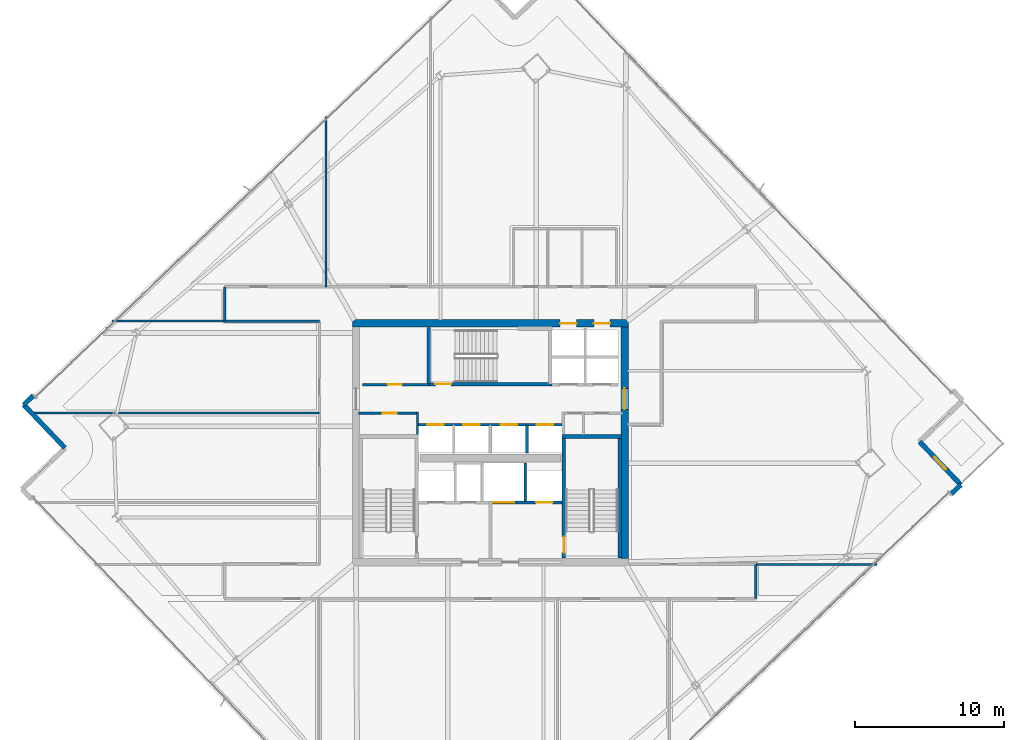
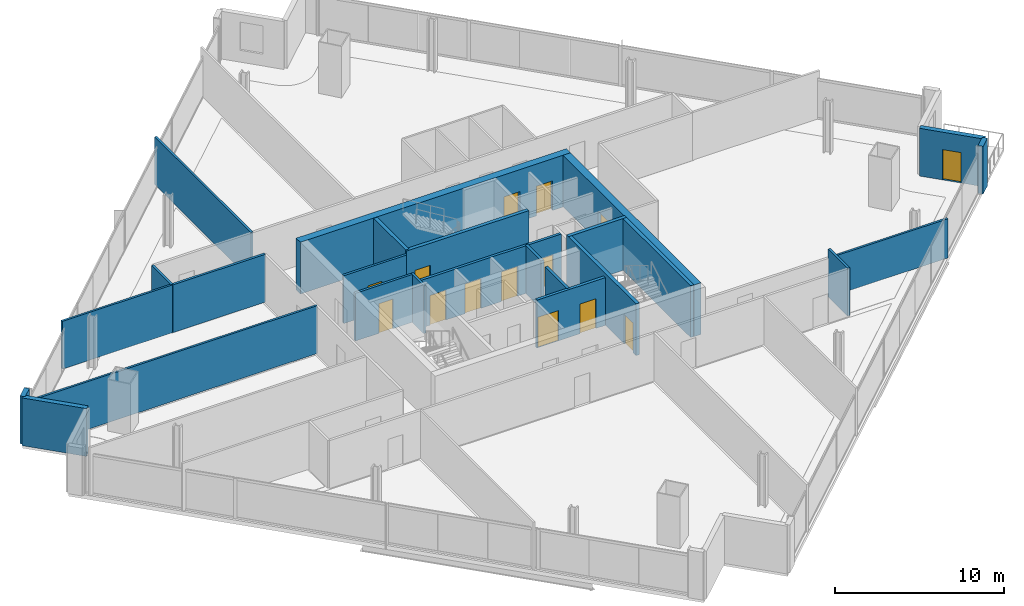
# One storey, part 26 of 33: 25 walls, 14 doors, 14 openings.
"""IFC4 building model written with IfcOpenShell, lengths in metres."""

from ifc_helpers import new_model, si_unit, direction, frame, frame_2d, origin, place, context, subcontext, project, spatial, rectangle, extrude, material, layer, layer_set, type_object, element, fill, save


model = new_model("IFC4")

# Units and contexts
model_context = context("Model", 3, precision=1e-05, world=origin(), true_north=direction((0.0, 1.0)))
body_context = subcontext(model_context, "Body", "Model", "MODEL_VIEW")
ifc_project = project(units=[si_unit("LENGTHUNIT", "METRE"), si_unit("AREAUNIT", "SQUARE_METRE"), si_unit("VOLUMEUNIT", "CUBIC_METRE"), si_unit("PLANEANGLEUNIT", "RADIAN"), si_unit("MASSUNIT", "GRAM", prefix="KILO")], contexts=[model_context])

# Site, building, storey
site_placement = place(None, origin())
site = spatial("IfcSite", under=ifc_project, at=site_placement, CompositionType="ELEMENT")
building_placement = place(site_placement, origin())
building = spatial("IfcBuilding", under=site, at=building_placement, Name="Haldenkirk Collegiate Tower", CompositionType="ELEMENT")
storey_placement = place(building_placement, frame((0.0, 0.0, 174.449951171875)))
storey = spatial("IfcBuildingStorey", under=building, at=storey_placement, Name="L43", CompositionType="ELEMENT", Elevation=174.449951171875)

# Wall, openings, doors
ifc_material_1 = material(Name="Concrete f'c 55 MPa", Category="concrete")
ifc_layer_1 = layer(ifc_material_1, 0.5)
ifc_layer_set_1 = layer_set([ifc_layer_1], Name="Concrete f'c 55 MPa")
wall_type_1 = type_object("IfcWallType", Name="WL-CORE-500", PredefinedType="SHEAR", material=ifc_layer_set_1)
wall_1_placement = place(storey_placement, frame((26.75, 34.0, 0.0), z_axis=(0.0, 0.0, 1.0), x_axis=(1.0, 0.0, 0.0)))
wall_1 = element("IfcWall", 1, at=wall_1_placement, inside=storey, type_object=wall_type_1, Name="L43 central core shear wall N", PredefinedType="SHEAR", context=body_context, shape_type="SweptSolid", body=[
    extrude(rectangle(XDim=18.5, YDim=0.5, at=frame_2d((9.25, 0.0))), origin(), (0.0, 0.0, 1.0), 3.75),
])
opening_1_placement = place(wall_1_placement, frame((13.93505859375, 0.0, 0.0)))
opening_1 = element("IfcOpeningElement", 2, at=opening_1_placement, cuts=wall_1, Name="Opening LD-11", PredefinedType="OPENING", context=body_context, shape_type="SweptSolid", body=[
    extrude(rectangle(XDim=1.10009765625, YDim=2.14990234375, at=frame_2d((0.550048828125, 1.074951171875))), frame((0.0, 0.260009765625, 0.0), z_axis=(0.0, -1.0, 0.0), x_axis=(1.0, 0.0, 0.0)), (0.0, 0.0, 1.0), 0.52001953125),
])
opening_2_placement = place(wall_1_placement, frame((16.18505859375, 0.0, 0.0)))
opening_2 = element("IfcOpeningElement", 3, at=opening_2_placement, cuts=wall_1, Name="Opening LD-11", PredefinedType="OPENING", context=body_context, shape_type="SweptSolid", body=[
    extrude(rectangle(XDim=1.10009765625, YDim=2.14990234375, at=frame_2d((0.550048828125, 1.074951171875))), frame((0.0, 0.260009765625, 0.0), z_axis=(0.0, -1.0, 0.0), x_axis=(1.0, 0.0, 0.0)), (0.0, 0.0, 1.0), 0.52001953125),
])
ifc_material_2 = material(Name="Brushed architectural stainless steel", Category="steel")
ifc_layer_2 = layer(ifc_material_2, 0.06005859375)
ifc_layer_set_2 = layer_set([ifc_layer_2], Name="Brushed architectural stainless steel")
door_type_1 = type_object("IfcDoorType", Name="LD-PASS-1100", OperationType="NOTDEFINED", PredefinedType="DOOR", material=ifc_layer_set_2)
door_1_placement = place(opening_1_placement, origin())
door_1 = element("IfcDoor", 4, at=door_1_placement, inside=storey, type_object=door_type_1, Name="L43 Elevator PM3 sliding landing door", OperationType="SLIDING_TO_LEFT", OverallHeight=2.14990234375, OverallWidth=1.10009765625, PredefinedType="DOOR", context=body_context, shape_type="SweptSolid", body=[
    extrude(rectangle(XDim=1.10009765625, YDim=2.14990234375, at=frame_2d((0.550048828125, 1.074951171875))), frame((0.0, 0.02490234375, 0.0), z_axis=(0.0, -1.0, 0.0), x_axis=(1.0, 0.0, 0.0)), (0.0, 0.0, 1.0), 0.050048828125),
])
fill(opening_1, door_1)
door_2_placement = place(opening_2_placement, origin())
door_2 = element("IfcDoor", 5, at=door_2_placement, inside=storey, type_object=door_type_1, Name="L43 Elevator PM4 sliding landing door", OperationType="SLIDING_TO_LEFT", OverallHeight=2.14990234375, OverallWidth=1.10009765625, PredefinedType="DOOR", context=body_context, shape_type="SweptSolid", body=[
    extrude(rectangle(XDim=1.10009765625, YDim=2.14990234375, at=frame_2d((0.550048828125, 1.074951171875))), frame((0.0, 0.02490234375, 0.0), z_axis=(0.0, -1.0, 0.0), x_axis=(1.0, 0.0, 0.0)), (0.0, 0.0, 1.0), 0.050048828125),
])
fill(opening_2, door_2)

# Wall, opening, door
wall_2_placement = place(storey_placement, frame((45.0, 18.25, 0.0), z_axis=(0.0, 0.0, 1.0), x_axis=(0.0, 1.0, 0.0)))
wall_2 = element("IfcWall", 6, at=wall_2_placement, inside=storey, type_object=wall_type_1, Name="L43 central core shear wall E", PredefinedType="SHEAR", context=body_context, shape_type="SweptSolid", body=[
    extrude(rectangle(XDim=15.5, YDim=0.5, at=frame_2d((7.75, 0.0))), origin(), (0.0, 0.0, 1.0), 3.75),
])
opening_3_placement = place(wall_2_placement, frame((9.989990234375, 0.0, 0.0)))
opening_3 = element("IfcOpeningElement", 7, at=opening_3_placement, cuts=wall_2, Name="Opening D-03", PredefinedType="OPENING", context=body_context, shape_type="SweptSolid", body=[
    extrude(rectangle(XDim=1.39990234375, YDim=2.199951171875, at=frame_2d((0.699951171875, 1.10009765625))), frame((0.0, 0.260009765625, 0.0), z_axis=(0.0, -1.0, 0.0), x_axis=(1.0, 0.0, 0.0)), (0.0, 0.0, 1.0), 0.52001953125),
])
ifc_material_3 = material(Name="Galvanized fire-rated hollow steel door", Category="steel")
ifc_layer_3 = layer(ifc_material_3, 0.06005859375)
ifc_layer_set_3 = layer_set([ifc_layer_3], Name="Galvanized fire-rated hollow steel door")
door_type_2 = type_object("IfcDoorType", Name="DR-LOBBY-FD90-1400", OperationType="NOTDEFINED", PredefinedType="DOOR", material=ifc_layer_set_3)
door_3_placement = place(opening_3_placement, origin())
door_3 = element("IfcDoor", 8, at=door_3_placement, inside=storey, type_object=door_type_2, Name="L43 east lift lobby portal", OperationType="DOUBLE_DOOR_SINGLE_SWING", OverallHeight=2.199951171875, OverallWidth=1.39990234375, PredefinedType="DOOR", context=body_context, shape_type="SweptSolid", body=[
    extrude(rectangle(XDim=1.39990234375, YDim=2.199951171875, at=frame_2d((0.699951171875, 1.10009765625))), frame((0.0, 0.02490234375, 0.0), z_axis=(0.0, -1.0, 0.0), x_axis=(1.0, 0.0, 0.0)), (0.0, 0.0, 1.0), 0.050048828125),
])
fill(opening_3, door_3)

# Wall
ifc_material_4 = material(Name="Precast concrete f'c 40 MPa", Category="concrete")
ifc_layer_4 = layer(ifc_material_4, 0.320068359375)
ifc_layer_set_4 = layer_set([ifc_layer_4], Name="Precast concrete f'c 40 MPa")
wall_type_2 = type_object("IfcWallType", Name="WL-EXT-TWR-320", PredefinedType="STANDARD", material=ifc_layer_set_4)
wall_3_placement = place(storey_placement, frame((67.5341796875, 23.18017578125, 0.0), z_axis=(0.0, 0.0, 1.0), x_axis=(-0.723059926528, -0.690785308652, 0.0)))
element("IfcWall", 9, at=wall_3_placement, inside=storey, type_object=wall_type_2, Name="L43 precast corner pier SL", PredefinedType="STANDARD", context=body_context, shape_type="SweptSolid", body=[
    extrude(rectangle(XDim=0.900146484375, YDim=0.320068359375, at=frame_2d((0.4501953125, 0.0))), origin(), (0.0, 0.0, 1.0), 3.4599609375),
])

# Wall, opening, door
wall_4_placement = place(storey_placement, frame((64.7705078125, 26.072021484375, 0.0), z_axis=(0.0, 0.0, 1.0), x_axis=(0.690903852793, -0.722946655153, 0.0)))
wall_4 = element("IfcWall", 10, at=wall_4_placement, inside=storey, type_object=wall_type_2, Name="L43 bronze precast notch wall 02", PredefinedType="STANDARD", context=body_context, shape_type="SweptSolid", body=[
    extrude(rectangle(XDim=4.0, YDim=0.320068359375, at=frame_2d((2.0, 0.0))), origin(), (0.0, 0.0, 1.0), 3.4599609375),
])
opening_4_placement = place(wall_4_placement, frame((1.425048828125, 0.0, 0.0)))
opening_4 = element("IfcOpeningElement", 11, at=opening_4_placement, cuts=wall_4, Name="Opening D-ST11", PredefinedType="OPENING", context=body_context, shape_type="SweptSolid", body=[
    extrude(rectangle(XDim=1.14990234375, YDim=2.199951171875, at=frame_2d((0.574951171875, 1.10009765625))), frame((0.0, 0.169921875, 0.0), z_axis=(0.0, -1.0, 0.0), x_axis=(1.0, 0.0, 0.0)), (0.0, 0.0, 1.0), 0.340087890625),
])
ifc_material_5 = material(Name="Anodised architectural bronze aluminium", Category="aluminium")
ifc_layer_5 = layer(ifc_material_5, 0.080078125)
ifc_layer_set_5 = layer_set([ifc_layer_5], Name="Anodised architectural bronze aluminium")
door_type_3 = type_object("IfcDoorType", Name="DR-EXT-STER-1150", OperationType="NOTDEFINED", PredefinedType="DOOR", material=ifc_layer_set_5)
door_4_placement = place(opening_4_placement, origin())
door_4 = element("IfcDoor", 12, at=door_4_placement, inside=storey, type_object=door_type_3, Name="L43 spiralling terrace door", OperationType="SINGLE_SWING_RIGHT", OverallHeight=2.199951171875, OverallWidth=1.14990234375, PredefinedType="DOOR", context=body_context, shape_type="SweptSolid", body=[
    extrude(rectangle(XDim=1.14990234375, YDim=2.199951171875, at=frame_2d((0.574951171875, 1.10009765625))), frame((0.0, 0.02490234375, 0.0), z_axis=(0.0, -1.0, 0.0), x_axis=(1.0, 0.0, 0.0)), (0.0, 0.0, 1.0), 0.050048828125),
])
fill(opening_4, door_4)

# Walls
wall_5_placement = place(storey_placement, frame((4.724853515625, 28.548583984375, 0.0), z_axis=(0.0, 0.0, 1.0), x_axis=(0.722930468767, 0.690920789475, 0.0)))
element("IfcWall", 13, at=wall_5_placement, inside=storey, type_object=wall_type_2, Name="L43 precast corner pier NL", PredefinedType="STANDARD", context=body_context, shape_type="SweptSolid", body=[
    extrude(rectangle(XDim=0.89990234375, YDim=0.320068359375, at=frame_2d((0.449951171875, 0.0))), origin(), (0.0, 0.0, 1.0), 3.4599609375),
])
wall_6_placement = place(storey_placement, frame((7.488525390625, 25.65673828125, 0.0), z_axis=(0.0, 0.0, 1.0), x_axis=(-0.690903852793, 0.722946655153, 0.0)))
element("IfcWall", 14, at=wall_6_placement, inside=storey, type_object=wall_type_2, Name="L43 bronze precast notch wall 08", PredefinedType="STANDARD", context=body_context, shape_type="SweptSolid", body=[
    extrude(rectangle(XDim=4.0, YDim=0.320068359375, at=frame_2d((2.0, 0.0))), origin(), (0.0, 0.0, 1.0), 3.4599609375),
])

# Wall, opening, door
ifc_material_6 = material(Name="Acoustic fire-rated gypsum partition", Category="concrete")
ifc_layer_6 = layer(ifc_material_6, 0.159912109375)
ifc_layer_set_6 = layer_set([ifc_layer_6], Name="Acoustic fire-rated gypsum partition")
wall_type_3 = type_object("IfcWallType", Name="WL-INT-CORR-160", PredefinedType="PARTITIONING", material=ifc_layer_set_6)
wall_7_placement = place(storey_placement, frame((27.14990234375, 27.97998046875, 0.0), z_axis=(0.0, 0.0, 1.0), x_axis=(1.0, 0.0, 0.0)))
wall_7 = element("IfcWall", 15, at=wall_7_placement, inside=storey, type_object=wall_type_3, Name="L43 interior partition IW-L43-VCSW-N", PredefinedType="PARTITIONING", context=body_context, shape_type="SweptSolid", body=[
    extrude(rectangle(XDim=4.050048828125, YDim=0.159912109375, at=frame_2d((2.02490234375, 0.0))), origin(), (0.0, 0.0, 1.0), 3.4599609375),
])
opening_5_placement = place(wall_7_placement, frame((1.625, 0.0, 0.0)))
opening_5 = element("IfcOpeningElement", 16, at=opening_5_placement, cuts=wall_7, Name="Opening D-10", PredefinedType="OPENING", context=body_context, shape_type="SweptSolid", body=[
    extrude(rectangle(XDim=0.949951171875, YDim=2.14990234375, at=frame_2d((0.47509765625, 1.074951171875))), frame((0.0, 0.08984375, 0.0), z_axis=(0.0, -1.0, 0.0), x_axis=(1.0, 0.0, 0.0)), (0.0, 0.0, 1.0), 0.179931640625),
])
ifc_material_7 = material(Name="Solid-core architectural oak fire door", Category="wood")
ifc_layer_7 = layer(ifc_material_7, 0.06005859375)
ifc_layer_set_7 = layer_set([ifc_layer_7], Name="Solid-core architectural oak fire door")
door_type_4 = type_object("IfcDoorType", Name="DR-INT-FD60-950", OperationType="NOTDEFINED", PredefinedType="DOOR", material=ifc_layer_set_7)
door_5_placement = place(opening_5_placement, origin())
door_5 = element("IfcDoor", 17, at=door_5_placement, inside=storey, type_object=door_type_4, Name="L43 core tea pantry door", OperationType="SINGLE_SWING_LEFT", OverallHeight=2.14990234375, OverallWidth=0.949951171875, PredefinedType="DOOR", context=body_context, shape_type="SweptSolid", body=[
    extrude(rectangle(XDim=0.949951171875, YDim=2.14990234375, at=frame_2d((0.47509765625, 1.074951171875))), frame((0.0, 0.02490234375, 0.0), z_axis=(0.0, -1.0, 0.0), x_axis=(1.0, 0.0, 0.0)), (0.0, 0.0, 1.0), 0.050048828125),
])
fill(opening_5, door_5)

# Wall
wall_8_placement = place(storey_placement, frame((31.1201171875, 26.5400390625, 0.0), z_axis=(0.0, 0.0, 1.0), x_axis=(0.0, 1.0, 0.0)))
element("IfcWall", 18, at=wall_8_placement, inside=storey, type_object=wall_type_3, Name="L43 interior partition IW-L43-VCSW-E", PredefinedType="PARTITIONING", context=body_context, shape_type="SweptSolid", body=[
    extrude(rectangle(XDim=1.510009765625, YDim=0.159912109375, at=frame_2d((0.7548828125, 0.0))), origin(), (0.0, 0.0, 1.0), 3.4599609375),
])

# Wall, opening, door
wall_9_placement = place(storey_placement, frame((27.449951171875, 29.89990234375, 0.0), z_axis=(0.0, 0.0, 1.0), x_axis=(1.0, 0.0, 0.0)))
wall_9 = element("IfcWall", 19, at=wall_9_placement, inside=storey, type_object=wall_type_3, Name="L43 interior partition IW-L43-PLS", PredefinedType="PARTITIONING", context=body_context, shape_type="SweptSolid", body=[
    extrude(rectangle(XDim=4.429931640625, YDim=0.159912109375, at=frame_2d((2.21484375, 0.0))), origin(), (0.0, 0.0, 1.0), 3.4599609375),
])
opening_6_placement = place(wall_9_placement, frame((1.675048828125, 0.0, 0.0)))
opening_6 = element("IfcOpeningElement", 20, at=opening_6_placement, cuts=wall_9, Name="Opening D-10", PredefinedType="OPENING", context=body_context, shape_type="SweptSolid", body=[
    extrude(rectangle(XDim=0.949951171875, YDim=2.14990234375, at=frame_2d((0.47509765625, 1.074951171875))), frame((0.0, 0.08984375, 0.0), z_axis=(0.0, -1.0, 0.0), x_axis=(1.0, 0.0, 0.0)), (0.0, 0.0, 1.0), 0.179931640625),
])
door_6_placement = place(opening_6_placement, origin())
door_6 = element("IfcDoor", 21, at=door_6_placement, inside=storey, type_object=door_type_4, Name="L43 archive door", OperationType="SINGLE_SWING_RIGHT", OverallHeight=2.14990234375, OverallWidth=0.949951171875, PredefinedType="DOOR", context=body_context, shape_type="SweptSolid", body=[
    extrude(rectangle(XDim=0.949951171875, YDim=2.14990234375, at=frame_2d((0.47509765625, 1.074951171875))), frame((0.0, 0.02490234375, 0.0), z_axis=(0.0, -1.0, 0.0), x_axis=(1.0, 0.0, 0.0)), (0.0, 0.0, 1.0), 0.050048828125),
])
fill(opening_6, door_6)

# Walls
wall_10_placement = place(storey_placement, frame((18.199951171875, 34.14990234375, 0.0), z_axis=(0.0, 0.0, 1.0), x_axis=(1.0, 0.0, 0.0)))
element("IfcWall", 22, at=wall_10_placement, inside=storey, type_object=wall_type_3, Name="L43 interior partition IW-L43-CNW", PredefinedType="PARTITIONING", context=body_context, shape_type="SweptSolid", body=[
    extrude(rectangle(XDim=6.35009765625, YDim=0.159912109375, at=frame_2d((3.175048828125, 0.0))), origin(), (0.0, 0.0, 1.0), 3.4599609375),
])
for number, where, z_axis, x_axis, name in (
    (23, (53.800048828125, 15.550048828125, 0.0), (0.0, 0.0, 1.0), (0.0, 1.0, 0.0), "L43 interior partition IW-L43-CSR"),
    (24, (18.199951171875, 34.14990234375, 0.0), (0.0, 0.0, 1.0), (0.0, 1.0, 0.0), "L43 interior partition IW-L43-CNL"),
):
    element("IfcWall", number, at=place(storey_placement, frame(where, z_axis=z_axis, x_axis=x_axis)), inside=storey, type_object=wall_type_3, Name=name, PredefinedType="PARTITIONING", context=body_context, shape_type="SweptSolid", body=[
        extrude(rectangle(XDim=2.300048828125, YDim=0.159912109375, at=frame_2d((1.14990234375, 0.0))), origin(), (0.0, 0.0, 1.0), 3.4599609375),
    ])
ifc_layer_8 = layer(ifc_material_6, 0.139892578125)
ifc_layer_set_8 = layer_set([ifc_layer_8], Name="Acoustic fire-rated gypsum partition")
wall_type_4 = type_object("IfcWallType", Name="WL-INT-DIV-140", PredefinedType="PARTITIONING", material=ifc_layer_set_8)
wall_11_placement = place(storey_placement, frame((10.644287109375, 34.14990234375, 0.0), z_axis=(0.0, 0.0, 1.0), x_axis=(1.0, 0.0, 0.0)))
element("IfcWall", 25, at=wall_11_placement, inside=storey, type_object=wall_type_4, Name="L43 interior partition IW-L43-BWN", PredefinedType="PARTITIONING", context=body_context, shape_type="SweptSolid", body=[
    extrude(rectangle(XDim=7.5556640625, YDim=0.139892578125, at=frame_2d((3.77783203125, 0.0))), origin(), (0.0, 0.0, 1.0), 3.4599609375),
])
wall_12_placement = place(storey_placement, frame((53.800048828125, 17.85009765625, 0.0), z_axis=(0.0, 0.0, 1.0), x_axis=(1.0, 0.0, 0.0)))
element("IfcWall", 26, at=wall_12_placement, inside=storey, type_object=wall_type_4, Name="L43 interior partition IW-L43-BES", PredefinedType="PARTITIONING", context=body_context, shape_type="SweptSolid", body=[
    extrude(rectangle(XDim=8.098388671875, YDim=0.139892578125, at=frame_2d((4.04931640625, 0.0))), origin(), (0.0, 0.0, 1.0), 2.839111328125),
])
wall_13_placement = place(storey_placement, frame((25.0, 36.449951171875, 0.0), z_axis=(0.0, 0.0, 1.0), x_axis=(0.0, 1.0, 0.0)))
element("IfcWall", 27, at=wall_13_placement, inside=storey, type_object=wall_type_4, Name="L43 interior partition IW-L43-RN1", PredefinedType="PARTITIONING", context=body_context, shape_type="SweptSolid", body=[
    extrude(rectangle(XDim=11.418701171875, YDim=0.139892578125, at=frame_2d((5.70947265625, 0.0))), origin(), (0.0, 0.0, 1.0), 3.4599609375),
])
wall_14_placement = place(storey_placement, frame((5.3046875, 28.0, 0.0), z_axis=(0.0, 0.0, 1.0), x_axis=(1.0, 0.0, 0.0)))
element("IfcWall", 28, at=wall_14_placement, inside=storey, type_object=wall_type_4, Name="L43 interior partition IW-L43-RW2", PredefinedType="PARTITIONING", context=body_context, shape_type="SweptSolid", body=[
    extrude(rectangle(XDim=19.245361328125, YDim=0.139892578125, at=frame_2d((9.62255859375, 0.0))), origin(), (0.0, 0.0, 1.0), 3.4599609375),
])
ifc_material_8 = material(Name="Fire-rated gypsum shaftboard assembly", Category="concrete")
ifc_layer_9 = layer(ifc_material_8, 0.179931640625)
ifc_layer_set_9 = layer_set([ifc_layer_9], Name="Fire-rated gypsum shaftboard assembly")
wall_type_5 = type_object("IfcWallType", Name="WL-INT-SHAFT-180", PredefinedType="PARTITIONING", material=ifc_layer_set_9)
wall_15_placement = place(storey_placement, frame((38.35009765625, 22.050048828125, 0.0), z_axis=(0.0, 0.0, 1.0), x_axis=(0.0, 1.0, 0.0)))
element("IfcWall", 29, at=wall_15_placement, inside=storey, type_object=wall_type_5, Name="L43 interior partition IW-L43-GL1E", PredefinedType="PARTITIONING", context=body_context, shape_type="SweptSolid", body=[
    extrude(rectangle(XDim=2.599853515625, YDim=0.179931640625, at=frame_2d((1.2998046875, 0.0))), origin(), (0.0, 0.0, 1.0), 3.4599609375),
])

# Wall, openings, doors
wall_16_placement = place(storey_placement, frame((31.199951171875, 27.199951171875, 0.0), z_axis=(0.0, 0.0, 1.0), x_axis=(1.0, 0.0, 0.0)))
wall_16 = element("IfcWall", 30, at=wall_16_placement, inside=storey, type_object=wall_type_5, Name="L43 interior partition IW-L43-PHN", PredefinedType="PARTITIONING", context=body_context, shape_type="SweptSolid", body=[
    extrude(rectangle(XDim=9.60009765625, YDim=0.179931640625, at=frame_2d((4.800048828125, 0.0))), origin(), (0.0, 0.0, 1.0), 3.4599609375),
])
opening_7_placement = place(wall_16_placement, frame((0.590087890625, 0.0, 0.0)))
opening_7 = element("IfcOpeningElement", 31, at=opening_7_placement, cuts=wall_16, Name="Opening LD-11", PredefinedType="OPENING", context=body_context, shape_type="SweptSolid", body=[
    extrude(rectangle(XDim=1.10009765625, YDim=2.14990234375, at=frame_2d((0.550048828125, 1.074951171875))), frame((0.0, 0.099853515625, 0.0), z_axis=(0.0, -1.0, 0.0), x_axis=(1.0, 0.0, 0.0)), (0.0, 0.0, 1.0), 0.199951171875),
])
opening_8_placement = place(wall_16_placement, frame((2.989990234375, 0.0, 0.0)))
opening_8 = element("IfcOpeningElement", 32, at=opening_8_placement, cuts=wall_16, Name="Opening LD-11", PredefinedType="OPENING", context=body_context, shape_type="SweptSolid", body=[
    extrude(rectangle(XDim=1.10009765625, YDim=2.14990234375, at=frame_2d((0.550048828125, 1.074951171875))), frame((0.0, 0.099853515625, 0.0), z_axis=(0.0, -1.0, 0.0), x_axis=(1.0, 0.0, 0.0)), (0.0, 0.0, 1.0), 0.199951171875),
])
opening_9_placement = place(wall_16_placement, frame((5.510009765625, 0.0, 0.0)))
opening_9 = element("IfcOpeningElement", 33, at=opening_9_placement, cuts=wall_16, Name="Opening LD-11", PredefinedType="OPENING", context=body_context, shape_type="SweptSolid", body=[
    extrude(rectangle(XDim=1.10009765625, YDim=2.14990234375, at=frame_2d((0.550048828125, 1.074951171875))), frame((0.0, 0.099853515625, 0.0), z_axis=(0.0, -1.0, 0.0), x_axis=(1.0, 0.0, 0.0)), (0.0, 0.0, 1.0), 0.199951171875),
])
opening_10_placement = place(wall_16_placement, frame((7.909912109375, 0.0, 0.0)))
opening_10 = element("IfcOpeningElement", 34, at=opening_10_placement, cuts=wall_16, Name="Opening LD-11", PredefinedType="OPENING", context=body_context, shape_type="SweptSolid", body=[
    extrude(rectangle(XDim=1.10009765625, YDim=2.14990234375, at=frame_2d((0.550048828125, 1.074951171875))), frame((0.0, 0.099853515625, 0.0), z_axis=(0.0, -1.0, 0.0), x_axis=(1.0, 0.0, 0.0)), (0.0, 0.0, 1.0), 0.199951171875),
])
door_7_placement = place(opening_7_placement, origin())
door_7 = element("IfcDoor", 35, at=door_7_placement, inside=storey, type_object=door_type_1, Name="L43 Elevator PH1 sliding landing door", OperationType="SLIDING_TO_LEFT", OverallHeight=2.14990234375, OverallWidth=1.10009765625, PredefinedType="DOOR", context=body_context, shape_type="SweptSolid", body=[
    extrude(rectangle(XDim=1.10009765625, YDim=2.14990234375, at=frame_2d((0.550048828125, 1.074951171875))), frame((0.0, 0.02490234375, 0.0), z_axis=(0.0, -1.0, 0.0), x_axis=(1.0, 0.0, 0.0)), (0.0, 0.0, 1.0), 0.050048828125),
])
fill(opening_7, door_7)
door_8_placement = place(opening_8_placement, origin())
door_8 = element("IfcDoor", 36, at=door_8_placement, inside=storey, type_object=door_type_1, Name="L43 Elevator PH2 sliding landing door", OperationType="SLIDING_TO_LEFT", OverallHeight=2.14990234375, OverallWidth=1.10009765625, PredefinedType="DOOR", context=body_context, shape_type="SweptSolid", body=[
    extrude(rectangle(XDim=1.10009765625, YDim=2.14990234375, at=frame_2d((0.550048828125, 1.074951171875))), frame((0.0, 0.02490234375, 0.0), z_axis=(0.0, -1.0, 0.0), x_axis=(1.0, 0.0, 0.0)), (0.0, 0.0, 1.0), 0.050048828125),
])
fill(opening_8, door_8)
door_9_placement = place(opening_9_placement, origin())
door_9 = element("IfcDoor", 37, at=door_9_placement, inside=storey, type_object=door_type_1, Name="L43 Elevator PH3 sliding landing door", OperationType="SLIDING_TO_LEFT", OverallHeight=2.14990234375, OverallWidth=1.10009765625, PredefinedType="DOOR", context=body_context, shape_type="SweptSolid", body=[
    extrude(rectangle(XDim=1.10009765625, YDim=2.14990234375, at=frame_2d((0.550048828125, 1.074951171875))), frame((0.0, 0.02490234375, 0.0), z_axis=(0.0, -1.0, 0.0), x_axis=(1.0, 0.0, 0.0)), (0.0, 0.0, 1.0), 0.050048828125),
])
fill(opening_9, door_9)
door_10_placement = place(opening_10_placement, origin())
door_10 = element("IfcDoor", 38, at=door_10_placement, inside=storey, type_object=door_type_1, Name="L43 Elevator PH4 sliding landing door", OperationType="SLIDING_TO_LEFT", OverallHeight=2.14990234375, OverallWidth=1.10009765625, PredefinedType="DOOR", context=body_context, shape_type="SweptSolid", body=[
    extrude(rectangle(XDim=1.10009765625, YDim=2.14990234375, at=frame_2d((0.550048828125, 1.074951171875))), frame((0.0, 0.02490234375, 0.0), z_axis=(0.0, -1.0, 0.0), x_axis=(1.0, 0.0, 0.0)), (0.0, 0.0, 1.0), 0.050048828125),
])
fill(opening_10, door_10)

# Wall
wall_17_placement = place(storey_placement, frame((38.4599609375, 25.300048828125, 0.0), z_axis=(0.0, 0.0, 1.0), x_axis=(0.0, 1.0, 0.0)))
element("IfcWall", 39, at=wall_17_placement, inside=storey, type_object=wall_type_5, Name="L43 interior partition IW-L43-PHV3", PredefinedType="PARTITIONING", context=body_context, shape_type="SweptSolid", body=[
    extrude(rectangle(XDim=1.89990234375, YDim=0.179931640625, at=frame_2d((0.949951171875, 0.0))), origin(), (0.0, 0.0, 1.0), 3.4599609375),
])

# Wall, openings, doors
ifc_layer_10 = layer(ifc_material_8, 0.199951171875)
ifc_layer_set_10 = layer_set([ifc_layer_10], Name="Fire-rated gypsum shaftboard assembly")
wall_type_6 = type_object("IfcWallType", Name="WL-INT-SHAFT-200", PredefinedType="PARTITIONING", material=ifc_layer_set_10)
wall_18_placement = place(storey_placement, frame((36.1201171875, 22.0, 0.0), z_axis=(0.0, 0.0, 1.0), x_axis=(1.0, 0.0, 0.0)))
wall_18 = element("IfcWall", 40, at=wall_18_placement, inside=storey, type_object=wall_type_6, Name="L43 interior partition IW-L43-FFL2N", PredefinedType="PARTITIONING", context=body_context, shape_type="SweptSolid", body=[
    extrude(rectangle(XDim=4.68994140625, YDim=0.199951171875, at=frame_2d((2.344970703125, 0.0))), origin(), (0.0, 0.0, 1.0), 3.4599609375),
])
opening_11_placement = place(wall_18_placement, frame((2.955078125, 0.0, 0.0)))
opening_11 = element("IfcOpeningElement", 41, at=opening_11_placement, cuts=wall_18, Name="Opening LD-12", PredefinedType="OPENING", context=body_context, shape_type="SweptSolid", body=[
    extrude(rectangle(XDim=1.10009765625, YDim=2.14990234375, at=frame_2d((0.550048828125, 1.074951171875))), frame((0.0, 0.10986328125, 0.0), z_axis=(0.0, -1.0, 0.0), x_axis=(1.0, 0.0, 0.0)), (0.0, 0.0, 1.0), 0.219970703125),
])
opening_12_placement = place(wall_18_placement, frame((0.080078125, 0.0, 0.0)))
opening_12 = element("IfcOpeningElement", 42, at=opening_12_placement, cuts=wall_18, Name="Opening LD-13", PredefinedType="OPENING", context=body_context, shape_type="SweptSolid", body=[
    extrude(rectangle(XDim=1.39990234375, YDim=2.199951171875, at=frame_2d((0.699951171875, 1.10009765625))), frame((0.0, 0.10986328125, 0.0), z_axis=(0.0, -1.0, 0.0), x_axis=(1.0, 0.0, 0.0)), (0.0, 0.0, 1.0), 0.219970703125),
])
ifc_layer_11 = layer(ifc_material_2, 0.06005859375)
ifc_layer_set_11 = layer_set([ifc_layer_11], Name="Brushed architectural stainless steel")
door_type_5 = type_object("IfcDoorType", Name="LD-FIRE-1100", OperationType="NOTDEFINED", PredefinedType="DOOR", material=ifc_layer_set_11)
door_11_placement = place(opening_11_placement, origin())
door_11 = element("IfcDoor", 43, at=door_11_placement, inside=storey, type_object=door_type_5, Name="L43 Elevator FL2 sliding landing door", OperationType="SLIDING_TO_LEFT", OverallHeight=2.14990234375, OverallWidth=1.10009765625, PredefinedType="DOOR", context=body_context, shape_type="SweptSolid", body=[
    extrude(rectangle(XDim=1.10009765625, YDim=2.14990234375, at=frame_2d((0.550048828125, 1.074951171875))), frame((0.0, 0.02490234375, 0.0), z_axis=(0.0, -1.0, 0.0), x_axis=(1.0, 0.0, 0.0)), (0.0, 0.0, 1.0), 0.050048828125),
])
fill(opening_11, door_11)
ifc_layer_12 = layer(ifc_material_2, 0.06005859375)
ifc_layer_set_12 = layer_set([ifc_layer_12], Name="Brushed architectural stainless steel")
door_type_6 = type_object("IfcDoorType", Name="LD-GOODS-1400", OperationType="NOTDEFINED", PredefinedType="DOOR", material=ifc_layer_set_12)
door_12_placement = place(opening_12_placement, origin())
door_12 = element("IfcDoor", 44, at=door_12_placement, inside=storey, type_object=door_type_6, Name="L43 Elevator GL1 sliding landing door", OperationType="SLIDING_TO_LEFT", OverallHeight=2.199951171875, OverallWidth=1.39990234375, PredefinedType="DOOR", context=body_context, shape_type="SweptSolid", body=[
    extrude(rectangle(XDim=1.39990234375, YDim=2.199951171875, at=frame_2d((0.699951171875, 1.10009765625))), frame((0.0, 0.02490234375, 0.0), z_axis=(0.0, -1.0, 0.0), x_axis=(1.0, 0.0, 0.0)), (0.0, 0.0, 1.0), 0.050048828125),
])
fill(opening_12, door_12)

# Wall, opening, door
ifc_layer_13 = layer(ifc_material_1, 0.239990234375)
ifc_layer_set_13 = layer_set([ifc_layer_13], Name="Concrete f'c 55 MPa")
wall_type_7 = type_object("IfcWallType", Name="WL-SHAFT-240", PredefinedType="SHEAR", material=ifc_layer_set_13)
wall_19_placement = place(storey_placement, frame((40.929931640625, 18.280029296875, 0.0), z_axis=(0.0, 0.0, 1.0), x_axis=(0.0, 1.0, 0.0)))
wall_19 = element("IfcWall", 45, at=wall_19_placement, inside=storey, type_object=wall_type_7, Name="L43 stair shaft shear wall SW-L43-ST2W", PredefinedType="SHEAR", context=body_context, shape_type="SweptSolid", body=[
    extrude(rectangle(XDim=8.260009765625, YDim=0.239990234375, at=frame_2d((4.1298828125, 0.0))), origin(), (0.0, 0.0, 1.0), 3.75),
])
opening_13_placement = place(wall_19_placement, frame((0.364990234375, 0.0, 0.0)))
opening_13 = element("IfcOpeningElement", 46, at=opening_13_placement, cuts=wall_19, Name="Opening D-01", PredefinedType="OPENING", context=body_context, shape_type="SweptSolid", body=[
    extrude(rectangle(XDim=1.050048828125, YDim=2.14990234375, at=frame_2d((0.52490234375, 1.074951171875))), frame((0.0, 0.1298828125, 0.0), z_axis=(0.0, -1.0, 0.0), x_axis=(1.0, 0.0, 0.0)), (0.0, 0.0, 1.0), 0.260009765625),
])
ifc_layer_14 = layer(ifc_material_3, 0.06005859375)
ifc_layer_set_14 = layer_set([ifc_layer_14], Name="Galvanized fire-rated hollow steel door")
door_type_7 = type_object("IfcDoorType", Name="DR-STAIR-FD90-1050", OperationType="NOTDEFINED", PredefinedType="DOOR", material=ifc_layer_set_14)
door_13_placement = place(opening_13_placement, origin())
door_13 = element("IfcDoor", 47, at=door_13_placement, inside=storey, type_object=door_type_7, Name="L43 Stair 2 door", OperationType="SINGLE_SWING_RIGHT", OverallHeight=2.14990234375, OverallWidth=1.050048828125, PredefinedType="DOOR", context=body_context, shape_type="SweptSolid", body=[
    extrude(rectangle(XDim=1.050048828125, YDim=2.14990234375, at=frame_2d((0.52490234375, 1.074951171875))), frame((0.0, 0.02490234375, 0.0), z_axis=(0.0, -1.0, 0.0), x_axis=(1.0, 0.0, 0.0)), (0.0, 0.0, 1.0), 0.050048828125),
])
fill(opening_13, door_13)

# Walls
wall_20_placement = place(storey_placement, frame((40.81005859375, 26.419921875, 0.0), z_axis=(0.0, 0.0, 1.0), x_axis=(1.0, 0.0, 0.0)))
element("IfcWall", 48, at=wall_20_placement, inside=storey, type_object=wall_type_7, Name="L43 stair shaft shear wall SW-L43-ST2N", PredefinedType="SHEAR", context=body_context, shape_type="SweptSolid", body=[
    extrude(rectangle(XDim=3.97998046875, YDim=0.239990234375, at=frame_2d((1.989990234375, 0.0))), origin(), (0.0, 0.0, 1.0), 3.75),
])
wall_21_placement = place(storey_placement, frame((44.669921875, 18.280029296875, 0.0), z_axis=(0.0, 0.0, 1.0), x_axis=(0.0, 1.0, 0.0)))
element("IfcWall", 49, at=wall_21_placement, inside=storey, type_object=wall_type_7, Name="L43 stair shaft shear wall SW-L43-ST2E", PredefinedType="SHEAR", context=body_context, shape_type="SweptSolid", body=[
    extrude(rectangle(XDim=8.260009765625, YDim=0.239990234375, at=frame_2d((4.1298828125, 0.0))), origin(), (0.0, 0.0, 1.0), 3.75),
])

# Wall, opening, door
wall_22_placement = place(storey_placement, frame((31.760009765625, 29.929931640625, 0.0), z_axis=(0.0, 0.0, 1.0), x_axis=(1.0, 0.0, 0.0)))
wall_22 = element("IfcWall", 50, at=wall_22_placement, inside=storey, type_object=wall_type_7, Name="L43 stair shaft shear wall SW-L43-ST3S", PredefinedType="SHEAR", context=body_context, shape_type="SweptSolid", body=[
    extrude(rectangle(XDim=8.3798828125, YDim=0.239990234375, at=frame_2d((4.18994140625, 0.0))), origin(), (0.0, 0.0, 1.0), 3.75),
])
opening_14_placement = place(wall_22_placement, frame((0.56494140625, 0.0, 0.0)))
opening_14 = element("IfcOpeningElement", 51, at=opening_14_placement, cuts=wall_22, Name="Opening D-01", PredefinedType="OPENING", context=body_context, shape_type="SweptSolid", body=[
    extrude(rectangle(XDim=1.050048828125, YDim=2.14990234375, at=frame_2d((0.52490234375, 1.074951171875))), frame((0.0, 0.1298828125, 0.0), z_axis=(0.0, -1.0, 0.0), x_axis=(1.0, 0.0, 0.0)), (0.0, 0.0, 1.0), 0.260009765625),
])
door_14_placement = place(opening_14_placement, origin())
door_14 = element("IfcDoor", 52, at=door_14_placement, inside=storey, type_object=door_type_7, Name="L43 lift lobby Stair 3 door", OperationType="SINGLE_SWING_LEFT", OverallHeight=2.14990234375, OverallWidth=1.050048828125, PredefinedType="DOOR", context=body_context, shape_type="SweptSolid", body=[
    extrude(rectangle(XDim=1.050048828125, YDim=2.14990234375, at=frame_2d((0.52490234375, 1.074951171875))), frame((0.0, 0.02490234375, 0.0), z_axis=(0.0, -1.0, 0.0), x_axis=(1.0, 0.0, 0.0)), (0.0, 0.0, 1.0), 0.050048828125),
])
fill(opening_14, door_14)

# Wall
wall_23_placement = place(storey_placement, frame((31.8798828125, 29.929931640625, 0.0), z_axis=(0.0, 0.0, 1.0), x_axis=(0.0, 1.0, 0.0)))
element("IfcWall", 53, at=wall_23_placement, inside=storey, type_object=wall_type_7, Name="L43 stair shaft shear wall SW-L43-ST3W", PredefinedType="SHEAR", context=body_context, shape_type="SweptSolid", body=[
    extrude(rectangle(XDim=3.7900390625, YDim=0.239990234375, at=frame_2d((1.89501953125, 0.0))), origin(), (0.0, 0.0, 1.0), 3.75),
])

save(model, "model.ifc")
